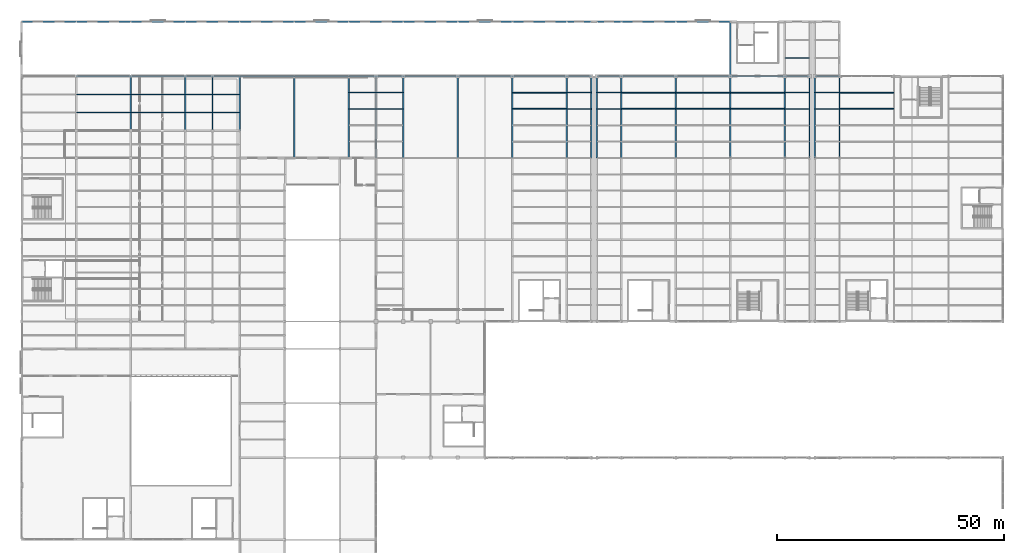
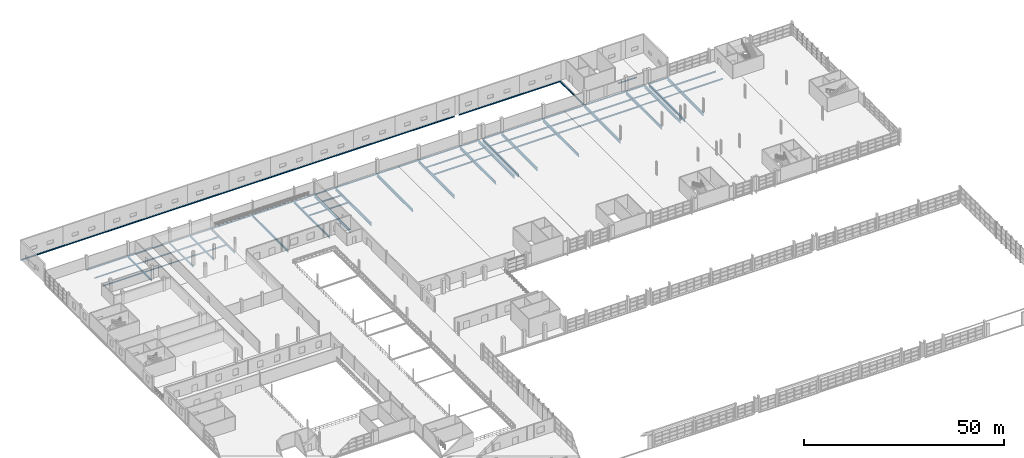
# One storey, part 112 of 147: 84 beams.
"""IFC4 building model written with IfcOpenShell, lengths in metres."""

from ifc_helpers import new_model, si_unit, direction, frame, origin, origin_2d, place, context, subcontext, project, spatial, i_section, extrude, material, material_profile, profile_set, type_object, element, save


model = new_model("IFC4")

# Units and contexts
model_context = context("Model", 3, precision=1e-05, world=origin(), true_north=direction((0.0, 1.0)))
body_context = subcontext(model_context, "Body", "Model", "MODEL_VIEW")
ifc_project = project(units=[si_unit("LENGTHUNIT", "METRE"), si_unit("AREAUNIT", "SQUARE_METRE"), si_unit("VOLUMEUNIT", "CUBIC_METRE"), si_unit("PLANEANGLEUNIT", "RADIAN"), si_unit("MASSUNIT", "GRAM", prefix="KILO")], contexts=[model_context])

# Site, building, storey
site_placement = place(None, origin())
site = spatial("IfcSite", under=ifc_project, at=site_placement, CompositionType="ELEMENT")
building_placement = place(site_placement, origin())
building = spatial("IfcBuilding", under=site, at=building_placement, Name="Zilviju Railside Exhibition Hall", CompositionType="ELEMENT")
storey_placement = place(building_placement, frame((0.0, 0.0, 8.39990234375)))
storey = spatial("IfcBuildingStorey", under=building, at=storey_placement, Name="L03", CompositionType="ELEMENT", Elevation=8.39990234375)

# Beams
ifc_material = material(Name="Steel S355J2", Category="steel")
ifc_material_profile_1 = material_profile(ifc_material, i_section(OverallWidth=0.300048828125, OverallDepth=0.2900390625, WebThickness=0.008544921875, FlangeThickness=0.013916015625, at=origin_2d()), Name="HEA 300")
ifc_profile_set_1 = profile_set([ifc_material_profile_1], Name="Steel S355J2")
beam_type_1 = type_object("IfcBeamType", Name="BM-HEA300", PredefinedType="SPANDREL", material=ifc_profile_set_1)
for number, where, z_axis, x_axis, name in (
    (1, (12.0, 138.0, -0.494873046875), (1.0, 0.0, 0.0), (0.0, 1.0, 0.0), "Primary Girder L03 Y=138.0 (12.0..24.0)"),
    (2, (24.0, 138.0, -0.494873046875), (1.0, 0.0, 0.0), (0.0, 1.0, 0.0), "Primary Girder L03 Y=138.0 (24.0..36.0)"),
):
    element("IfcBeam", number, at=place(storey_placement, frame(where, z_axis=z_axis, x_axis=x_axis)), inside=storey, type_object=beam_type_1, Name=name, PredefinedType="SPANDREL", context=body_context, shape_type="SweptSolid", body=[
        extrude(i_section(OverallWidth=0.300048828125, OverallDepth=0.2900390625, WebThickness=0.008544921875, FlangeThickness=0.013916015625, at=origin_2d()), origin(), (0.0, 0.0, 1.0), 12.0),
    ])
for number, where, z_axis, x_axis, name in (
    (3, (36.0, 138.0, -0.494873046875), (1.0, 0.0, 0.0), (0.0, 1.0, 0.0), "Primary Girder L03 Y=138.0 (36.0..42.0)"),
    (4, (42.0, 138.0, -0.494873046875), (1.0, 0.0, 0.0), (0.0, 1.0, 0.0), "Primary Girder L03 Y=138.0 (42.0..48.0)"),
):
    element("IfcBeam", number, at=place(storey_placement, frame(where, z_axis=z_axis, x_axis=x_axis)), inside=storey, type_object=beam_type_1, Name=name, PredefinedType="SPANDREL", context=body_context, shape_type="SweptSolid", body=[
        extrude(i_section(OverallWidth=0.300048828125, OverallDepth=0.2900390625, WebThickness=0.008544921875, FlangeThickness=0.013916015625, at=origin_2d()), origin(), (0.0, 0.0, 1.0), 6.0),
    ])
for number, where, z_axis, x_axis, name in (
    (5, (48.0, 138.0, -0.494873046875), (1.0, 0.0, 0.0), (0.0, 1.0, 0.0), "Primary Girder L03 Y=138.0 (48.0..60.0)"),
    (6, (60.0, 138.0, -0.46484375), (1.0, 0.0, 0.0), (0.0, 1.0, 0.0), "Primary Girder L03 Y=138.0 (60.0..72.0)"),
):
    element("IfcBeam", number, at=place(storey_placement, frame(where, z_axis=z_axis, x_axis=x_axis)), inside=storey, type_object=beam_type_1, Name=name, PredefinedType="SPANDREL", context=body_context, shape_type="SweptSolid", body=[
        extrude(i_section(OverallWidth=0.300048828125, OverallDepth=0.2900390625, WebThickness=0.008544921875, FlangeThickness=0.013916015625, at=origin_2d()), origin(), (0.0, 0.0, 1.0), 12.0),
    ])
for number, where, z_axis, x_axis, name in (
    (7, (72.0, 138.0, -0.52490234375), (1.0, 0.0, 0.0), (0.0, 1.0, 0.0), "Primary Girder L03 Y=138.0 (72.0..78.0)"),
    (8, (78.0, 138.0, -0.52490234375), (1.0, 0.0, 0.0), (0.0, 1.0, 0.0), "Primary Girder L03 Y=138.0 (78.0..84.0)"),
):
    element("IfcBeam", number, at=place(storey_placement, frame(where, z_axis=z_axis, x_axis=x_axis)), inside=storey, type_object=beam_type_1, Name=name, PredefinedType="SPANDREL", context=body_context, shape_type="SweptSolid", body=[
        extrude(i_section(OverallWidth=0.300048828125, OverallDepth=0.2900390625, WebThickness=0.008544921875, FlangeThickness=0.013916015625, at=origin_2d()), origin(), (0.0, 0.0, 1.0), 6.0),
    ])
for number, where, z_axis, x_axis, name in (
    (9, (84.0, 138.0, -0.52490234375), (1.0, 0.0, 0.0), (0.0, 1.0, 0.0), "Primary Girder L03 Y=138.0 (84.0..96.0)"),
    (10, (96.0, 138.0, -0.52490234375), (1.0, 0.0, 0.0), (0.0, 1.0, 0.0), "Primary Girder L03 Y=138.0 (96.0..108.0)"),
    (11, (108.0, 138.0, -0.52490234375), (1.0, 0.0, 0.0), (0.0, 1.0, 0.0), "Primary Girder L03 Y=138.0 (108.0..120.0)"),
):
    element("IfcBeam", number, at=place(storey_placement, frame(where, z_axis=z_axis, x_axis=x_axis)), inside=storey, type_object=beam_type_1, Name=name, PredefinedType="SPANDREL", context=body_context, shape_type="SweptSolid", body=[
        extrude(i_section(OverallWidth=0.300048828125, OverallDepth=0.2900390625, WebThickness=0.008544921875, FlangeThickness=0.013916015625, at=origin_2d()), origin(), (0.0, 0.0, 1.0), 12.0),
    ])
for number, where, z_axis, x_axis, name in (
    (12, (120.0, 138.0, -0.52490234375), (1.0, 0.0, 0.0), (0.0, 1.0, 0.0), "Primary Girder L03 Y=138.0 (120.0..125.4)"),
    (13, (126.60009765625, 138.0, -0.52490234375), (1.0, 0.0, 0.0), (0.0, 1.0, 0.0), "Primary Girder L03 Y=138.0 (126.6..132.0)"),
):
    element("IfcBeam", number, at=place(storey_placement, frame(where, z_axis=z_axis, x_axis=x_axis)), inside=storey, type_object=beam_type_1, Name=name, PredefinedType="SPANDREL", context=body_context, shape_type="SweptSolid", body=[
        extrude(i_section(OverallWidth=0.300048828125, OverallDepth=0.2900390625, WebThickness=0.008544921875, FlangeThickness=0.013916015625, at=origin_2d()), origin(), (0.0, 0.0, 1.0), 5.39990234375),
    ])
for number, where, z_axis, x_axis, name in (
    (14, (132.0, 138.0, -0.52490234375), (1.0, 0.0, 0.0), (0.0, 1.0, 0.0), "Primary Girder L03 Y=138.0 (132.0..144.0)"),
    (15, (144.0, 138.0, -0.52490234375), (1.0, 0.0, 0.0), (0.0, 1.0, 0.0), "Primary Girder L03 Y=138.0 (144.0..156.0)"),
    (16, (156.0, 138.0, -0.52490234375), (1.0, 0.0, 0.0), (0.0, 1.0, 0.0), "Primary Girder L03 Y=138.0 (156.0..168.0)"),
):
    element("IfcBeam", number, at=place(storey_placement, frame(where, z_axis=z_axis, x_axis=x_axis)), inside=storey, type_object=beam_type_1, Name=name, PredefinedType="SPANDREL", context=body_context, shape_type="SweptSolid", body=[
        extrude(i_section(OverallWidth=0.300048828125, OverallDepth=0.2900390625, WebThickness=0.008544921875, FlangeThickness=0.013916015625, at=origin_2d()), origin(), (0.0, 0.0, 1.0), 12.0),
    ])
for number, where, z_axis, x_axis, name in (
    (17, (168.0, 138.0, -0.52490234375), (1.0, 0.0, 0.0), (0.0, 1.0, 0.0), "Primary Girder L03 Y=138.0 (168.0..173.4)"),
    (18, (174.60009765625, 138.0, -0.52490234375), (1.0, 0.0, 0.0), (0.0, 1.0, 0.0), "Primary Girder L03 Y=138.0 (174.6..180.0)"),
):
    element("IfcBeam", number, at=place(storey_placement, frame(where, z_axis=z_axis, x_axis=x_axis)), inside=storey, type_object=beam_type_1, Name=name, PredefinedType="SPANDREL", context=body_context, shape_type="SweptSolid", body=[
        extrude(i_section(OverallWidth=0.300048828125, OverallDepth=0.2900390625, WebThickness=0.008544921875, FlangeThickness=0.013916015625, at=origin_2d()), origin(), (0.0, 0.0, 1.0), 5.39990234375),
    ])
for number, where, z_axis, x_axis, name in (
    (19, (0.0, 150.0, -0.48486328125), (1.0, 0.0, 0.0), (0.0, 1.0, 0.0), "Primary Girder L03 Y=150.0 (0.0..12.0)"),
    (20, (12.0, 150.0, -0.48486328125), (1.0, 0.0, 0.0), (0.0, 1.0, 0.0), "Primary Girder L03 Y=150.0 (12.0..24.0)"),
    (21, (24.0, 150.0, -0.48486328125), (1.0, 0.0, 0.0), (0.0, 1.0, 0.0), "Primary Girder L03 Y=150.0 (24.0..36.0)"),
    (22, (36.0, 150.0, -0.48486328125), (1.0, 0.0, 0.0), (0.0, 1.0, 0.0), "Primary Girder L03 Y=150.0 (36.0..48.0)"),
    (23, (48.0, 150.0, -0.48486328125), (1.0, 0.0, 0.0), (0.0, 1.0, 0.0), "Primary Girder L03 Y=150.0 (48.0..60.0)"),
    (24, (60.0, 150.0, -0.48486328125), (1.0, 0.0, 0.0), (0.0, 1.0, 0.0), "Primary Girder L03 Y=150.0 (60.0..72.0)"),
    (25, (72.0, 150.0, -0.48486328125), (1.0, 0.0, 0.0), (0.0, 1.0, 0.0), "Primary Girder L03 Y=150.0 (72.0..84.0)"),
    (26, (84.0, 150.0, -0.48486328125), (1.0, 0.0, 0.0), (0.0, 1.0, 0.0), "Primary Girder L03 Y=150.0 (84.0..96.0)"),
    (27, (96.0, 150.0, -0.48486328125), (1.0, 0.0, 0.0), (0.0, 1.0, 0.0), "Primary Girder L03 Y=150.0 (96.0..108.0)"),
    (28, (108.0, 150.0, -0.48486328125), (1.0, 0.0, 0.0), (0.0, 1.0, 0.0), "Primary Girder L03 Y=150.0 (108.0..120.0)"),
):
    element("IfcBeam", number, at=place(storey_placement, frame(where, z_axis=z_axis, x_axis=x_axis)), inside=storey, type_object=beam_type_1, Name=name, PredefinedType="SPANDREL", context=body_context, shape_type="SweptSolid", body=[
        extrude(i_section(OverallWidth=0.300048828125, OverallDepth=0.2900390625, WebThickness=0.008544921875, FlangeThickness=0.013916015625, at=origin_2d()), origin(), (0.0, 0.0, 1.0), 12.0),
    ])
for number, where, z_axis, x_axis, name in (
    (29, (120.0, 150.0, -0.48486328125), (1.0, 0.0, 0.0), (0.0, 1.0, 0.0), "Primary Girder L03 Y=150.0 (120.0..125.4)"),
    (30, (126.60009765625, 150.0, -0.48486328125), (1.0, 0.0, 0.0), (0.0, 1.0, 0.0), "Primary Girder L03 Y=150.0 (126.6..132.0)"),
):
    element("IfcBeam", number, at=place(storey_placement, frame(where, z_axis=z_axis, x_axis=x_axis)), inside=storey, type_object=beam_type_1, Name=name, PredefinedType="SPANDREL", context=body_context, shape_type="SweptSolid", body=[
        extrude(i_section(OverallWidth=0.300048828125, OverallDepth=0.2900390625, WebThickness=0.008544921875, FlangeThickness=0.013916015625, at=origin_2d()), origin(), (0.0, 0.0, 1.0), 5.39990234375),
    ])
for number, where, z_axis, x_axis, name in (
    (31, (132.0, 150.0, -0.48486328125), (1.0, 0.0, 0.0), (0.0, 1.0, 0.0), "Primary Girder L03 Y=150.0 (132.0..144.0)"),
    (32, (144.0, 150.0, -0.48486328125), (1.0, 0.0, 0.0), (0.0, 1.0, 0.0), "Primary Girder L03 Y=150.0 (144.0..156.0)"),
):
    element("IfcBeam", number, at=place(storey_placement, frame(where, z_axis=z_axis, x_axis=x_axis)), inside=storey, type_object=beam_type_1, Name=name, PredefinedType="SPANDREL", context=body_context, shape_type="SweptSolid", body=[
        extrude(i_section(OverallWidth=0.300048828125, OverallDepth=0.2900390625, WebThickness=0.008544921875, FlangeThickness=0.013916015625, at=origin_2d()), origin(), (0.0, 0.0, 1.0), 12.0),
    ])
ifc_material_profile_2 = material_profile(ifc_material, i_section(OverallWidth=0.300048828125, OverallDepth=0.35009765625, WebThickness=0.010009765625, FlangeThickness=0.017578125, at=origin_2d()), Name="HEA 360")
ifc_profile_set_2 = profile_set([ifc_material_profile_2], Name="Steel S355J2")
beam_type_2 = type_object("IfcBeamType", Name="BM-HEA360", PredefinedType="BEAM", material=ifc_profile_set_2)
beam_placement = place(storey_placement, frame((48.0, 126.0, -0.52490234375), z_axis=(0.0, 1.0, 0.0), x_axis=(-1.0, 0.0, 0.0)))
element("IfcBeam", 33, at=beam_placement, inside=storey, type_object=beam_type_2, Name="Transverse Girder L03 X=48.0 (126.0..138.0)", PredefinedType="BEAM", context=body_context, shape_type="SweptSolid", body=[
    extrude(i_section(OverallWidth=0.300048828125, OverallDepth=0.35009765625, WebThickness=0.010009765625, FlangeThickness=0.017578125, at=origin_2d()), origin(), (0.0, 0.0, 1.0), 12.0),
])
ifc_material_profile_3 = material_profile(ifc_material, i_section(OverallWidth=0.300048828125, OverallDepth=0.449951171875, WebThickness=0.013916015625, FlangeThickness=0.02587890625, at=origin_2d()), Name="HEB 450")
ifc_profile_set_3 = profile_set([ifc_material_profile_3], Name="Steel S355J2")
beam_type_3 = type_object("IfcBeamType", Name="BM-HEB450", PredefinedType="BEAM", material=ifc_profile_set_3)
for number, where, z_axis, x_axis, name in (
    (34, (24.0, 126.0, -0.574951171875), (0.0, 1.0, 0.0), (-1.0, 0.0, 0.0), "Transverse Girder L03 X=24.0 (126.0..138.0)"),
    (35, (36.0, 126.0, -0.574951171875), (0.0, 1.0, 0.0), (-1.0, 0.0, 0.0), "Transverse Girder L03 X=36.0 (126.0..138.0)"),
    (36, (42.0, 126.0, -0.574951171875), (0.0, 1.0, 0.0), (-1.0, 0.0, 0.0), "Transverse Girder L03 X=42.0 (126.0..138.0)"),
    (37, (156.0, 138.0, -0.60498046875), (0.0, 1.0, 0.0), (-1.0, 0.0, 0.0), "Transverse Girder L03 X=156.0 (138.0..150.0)"),
):
    element("IfcBeam", number, at=place(storey_placement, frame(where, z_axis=z_axis, x_axis=x_axis)), inside=storey, type_object=beam_type_3, Name=name, PredefinedType="BEAM", context=body_context, shape_type="SweptSolid", body=[
        extrude(i_section(OverallWidth=0.300048828125, OverallDepth=0.449951171875, WebThickness=0.013916015625, FlangeThickness=0.02587890625, at=origin_2d()), origin(), (0.0, 0.0, 1.0), 12.0),
    ])
ifc_material_profile_4 = material_profile(ifc_material, i_section(OverallWidth=0.300048828125, OverallDepth=0.60009765625, WebThickness=0.015380859375, FlangeThickness=0.030029296875, at=origin_2d()), Name="HEB 600")
ifc_profile_set_4 = profile_set([ifc_material_profile_4], Name="Steel S355J2")
beam_type_4 = type_object("IfcBeamType", Name="BM-HEB600", PredefinedType="BEAM", material=ifc_profile_set_4)
for number, where, z_axis, x_axis, name in (
    (38, (60.0, 120.0, -0.64990234375), (0.0, 1.0, 0.0), (-1.0, 0.0, 0.0), "Transverse Girder L03 X=60.0 (120.0..138.0)"),
    (39, (72.0, 120.0, -0.64990234375), (0.0, 1.0, 0.0), (-1.0, 0.0, 0.0), "Transverse Girder L03 X=72.0 (120.0..138.0)"),
):
    element("IfcBeam", number, at=place(storey_placement, frame(where, z_axis=z_axis, x_axis=x_axis)), inside=storey, type_object=beam_type_4, Name=name, PredefinedType="BEAM", context=body_context, shape_type="SweptSolid", body=[
        extrude(i_section(OverallWidth=0.300048828125, OverallDepth=0.60009765625, WebThickness=0.015380859375, FlangeThickness=0.030029296875, at=origin_2d()), origin(), (0.0, 0.0, 1.0), 18.0),
    ])
ifc_material_profile_5 = material_profile(ifc_material, i_section(OverallWidth=0.300048828125, OverallDepth=0.89990234375, WebThickness=0.0185546875, FlangeThickness=0.034912109375, at=origin_2d()), Name="HEB 900")
ifc_profile_set_5 = profile_set([ifc_material_profile_5], Name="Steel S355J2")
beam_type_5 = type_object("IfcBeamType", Name="BM-HEB900", PredefinedType="BEAM", material=ifc_profile_set_5)
for number, where, z_axis, x_axis, name in (
    (40, (78.0, 120.0, -0.829833984375), (0.0, 1.0, 0.0), (-1.0, 0.0, 0.0), "Transverse Girder L03 X=78.0 (120.0..138.0)"),
    (41, (84.0, 120.0, -0.829833984375), (0.0, 1.0, 0.0), (-1.0, 0.0, 0.0), "Transverse Girder L03 X=84.0 (120.0..138.0)"),
    (42, (96.0, 120.0, -0.829833984375), (0.0, 1.0, 0.0), (-1.0, 0.0, 0.0), "Transverse Girder L03 X=96.0 (120.0..138.0)"),
    (43, (108.0, 120.0, -0.829833984375), (0.0, 1.0, 0.0), (-1.0, 0.0, 0.0), "Transverse Girder L03 X=108.0 (120.0..138.0)"),
    (44, (120.0, 120.0, -0.829833984375), (0.0, 1.0, 0.0), (-1.0, 0.0, 0.0), "Transverse Girder L03 X=120.0 (120.0..138.0)"),
    (45, (125.39990234375, 120.0, -0.829833984375), (0.0, 1.0, 0.0), (-1.0, 0.0, 0.0), "Transverse Girder L03 X=125.4 (120.0..138.0)"),
    (46, (126.60009765625, 120.0, -0.829833984375), (0.0, 1.0, 0.0), (-1.0, 0.0, 0.0), "Transverse Girder L03 X=126.6 (120.0..138.0)"),
    (47, (132.0, 120.0, -0.829833984375), (0.0, 1.0, 0.0), (-1.0, 0.0, 0.0), "Transverse Girder L03 X=132.0 (120.0..138.0)"),
    (48, (144.0, 120.0, -0.829833984375), (0.0, 1.0, 0.0), (-1.0, 0.0, 0.0), "Transverse Girder L03 X=144.0 (120.0..138.0)"),
    (49, (156.0, 120.0, -0.829833984375), (0.0, 1.0, 0.0), (-1.0, 0.0, 0.0), "Transverse Girder L03 X=156.0 (120.0..138.0)"),
    (50, (168.0, 120.0, -0.829833984375), (0.0, 1.0, 0.0), (-1.0, 0.0, 0.0), "Transverse Girder L03 X=168.0 (120.0..138.0)"),
    (51, (173.39990234375, 120.0, -0.829833984375), (0.0, 1.0, 0.0), (-1.0, 0.0, 0.0), "Transverse Girder L03 X=173.4 (120.0..138.0)"),
    (52, (174.60009765625, 120.0, -0.829833984375), (0.0, 1.0, 0.0), (-1.0, 0.0, 0.0), "Transverse Girder L03 X=174.6 (120.0..138.0)"),
    (53, (180.0, 120.0, -0.829833984375), (0.0, 1.0, 0.0), (-1.0, 0.0, 0.0), "Transverse Girder L03 X=180.0 (120.0..138.0)"),
):
    element("IfcBeam", number, at=place(storey_placement, frame(where, z_axis=z_axis, x_axis=x_axis)), inside=storey, type_object=beam_type_5, Name=name, PredefinedType="BEAM", context=body_context, shape_type="SweptSolid", body=[
        extrude(i_section(OverallWidth=0.300048828125, OverallDepth=0.89990234375, WebThickness=0.0185546875, FlangeThickness=0.034912109375, at=origin_2d()), origin(), (0.0, 0.0, 1.0), 18.0),
    ])
ifc_material_profile_6 = material_profile(ifc_material, i_section(OverallWidth=0.1201171875, OverallDepth=0.239990234375, WebThickness=0.006103515625, FlangeThickness=0.009765625, at=origin_2d()), Name="IPE 240")
ifc_profile_set_6 = profile_set([ifc_material_profile_6], Name="Steel S355J2")
beam_type_6 = type_object("IfcBeamType", Name="BM-IPE240", PredefinedType="JOIST", material=ifc_profile_set_6)
for number, where, z_axis, x_axis, name in (
    (54, (120.080078125, 130.800048828125, -0.5), (1.0, 0.0, 0.0), (0.0, 1.0, 0.0), "Composite Floor Joist L03 Y=130.80 (120.0..125.4)"),
    (55, (120.080078125, 134.39990234375, -0.5), (1.0, 0.0, 0.0), (0.0, 1.0, 0.0), "Composite Floor Joist L03 Y=134.40 (120.0..125.4)"),
    (56, (126.679931640625, 130.800048828125, -0.5), (1.0, 0.0, 0.0), (0.0, 1.0, 0.0), "Composite Floor Joist L03 Y=130.80 (126.6..132.0)"),
    (57, (126.679931640625, 134.39990234375, -0.5), (1.0, 0.0, 0.0), (0.0, 1.0, 0.0), "Composite Floor Joist L03 Y=134.40 (126.6..132.0)"),
    (58, (168.080078125, 130.800048828125, -0.5), (1.0, 0.0, 0.0), (0.0, 1.0, 0.0), "Composite Floor Joist L03 Y=130.80 (168.0..173.4)"),
    (59, (168.080078125, 134.39990234375, -0.5), (1.0, 0.0, 0.0), (0.0, 1.0, 0.0), "Composite Floor Joist L03 Y=134.40 (168.0..173.4)"),
    (60, (168.080078125, 142.0, -0.5), (1.0, 0.0, 0.0), (0.0, 1.0, 0.0), "Composite Floor Joist L03 Y=142.00 (168.0..173.4)"),
    (61, (174.679931640625, 130.800048828125, -0.5), (1.0, 0.0, 0.0), (0.0, 1.0, 0.0), "Composite Floor Joist L03 Y=130.80 (174.6..180.0)"),
    (62, (174.679931640625, 134.39990234375, -0.5), (1.0, 0.0, 0.0), (0.0, 1.0, 0.0), "Composite Floor Joist L03 Y=134.40 (174.6..180.0)"),
):
    element("IfcBeam", number, at=place(storey_placement, frame(where, z_axis=z_axis, x_axis=x_axis)), inside=storey, type_object=beam_type_6, Name=name, PredefinedType="JOIST", context=body_context, shape_type="SweptSolid", body=[
        extrude(i_section(OverallWidth=0.1201171875, OverallDepth=0.239990234375, WebThickness=0.006103515625, FlangeThickness=0.009765625, at=origin_2d()), origin(), (0.0, 0.0, 1.0), 5.239990234375),
    ])
ifc_material_profile_7 = material_profile(ifc_material, i_section(OverallWidth=0.14990234375, OverallDepth=0.300048828125, WebThickness=0.007080078125, FlangeThickness=0.0107421875, at=origin_2d()), Name="IPE 300")
ifc_profile_set_7 = profile_set([ifc_material_profile_7], Name="Steel S355J2")
beam_type_7 = type_object("IfcBeamType", Name="BM-IPE300", PredefinedType="JOIST", material=ifc_profile_set_7)
for number, where, z_axis, x_axis, name in (
    (63, (36.080078125, 130.0, -0.5), (1.0, 0.0, 0.0), (0.0, 1.0, 0.0), "Composite Floor Joist L03 Y=130.00 (36.0..42.0)"),
    (64, (36.080078125, 134.0, -0.5), (1.0, 0.0, 0.0), (0.0, 1.0, 0.0), "Composite Floor Joist L03 Y=134.00 (36.0..42.0)"),
    (65, (42.080078125, 130.0, -0.5), (1.0, 0.0, 0.0), (0.0, 1.0, 0.0), "Composite Floor Joist L03 Y=130.00 (42.0..48.0)"),
    (66, (42.080078125, 134.0, -0.5), (1.0, 0.0, 0.0), (0.0, 1.0, 0.0), "Composite Floor Joist L03 Y=134.00 (42.0..48.0)"),
    (67, (72.080078125, 130.800048828125, -0.52978515625), (1.0, 0.0, 0.0), (0.0, 1.0, 0.0), "Composite Floor Joist L03 Y=130.80 (72.0..78.0)"),
    (68, (72.080078125, 134.39990234375, -0.52978515625), (1.0, 0.0, 0.0), (0.0, 1.0, 0.0), "Composite Floor Joist L03 Y=134.40 (72.0..78.0)"),
    (69, (78.080078125, 130.800048828125, -0.52978515625), (1.0, 0.0, 0.0), (0.0, 1.0, 0.0), "Composite Floor Joist L03 Y=130.80 (78.0..84.0)"),
    (70, (78.080078125, 134.39990234375, -0.52978515625), (1.0, 0.0, 0.0), (0.0, 1.0, 0.0), "Composite Floor Joist L03 Y=134.40 (78.0..84.0)"),
):
    element("IfcBeam", number, at=place(storey_placement, frame(where, z_axis=z_axis, x_axis=x_axis)), inside=storey, type_object=beam_type_7, Name=name, PredefinedType="JOIST", context=body_context, shape_type="SweptSolid", body=[
        extrude(i_section(OverallWidth=0.14990234375, OverallDepth=0.300048828125, WebThickness=0.007080078125, FlangeThickness=0.0107421875, at=origin_2d()), origin(), (0.0, 0.0, 1.0), 5.83984375),
    ])
ifc_material_profile_8 = material_profile(ifc_material, i_section(OverallWidth=0.169921875, OverallDepth=0.360107421875, WebThickness=0.008056640625, FlangeThickness=0.0126953125, at=origin_2d()), Name="IPE 360")
ifc_profile_set_8 = profile_set([ifc_material_profile_8], Name="Steel S355J2")
beam_type_8 = type_object("IfcBeamType", Name="BM-IPE360", PredefinedType="JOIST", material=ifc_profile_set_8)
for number, where, z_axis, x_axis, name in (
    (71, (12.080078125, 130.0, -0.52978515625), (1.0, 0.0, 0.0), (0.0, 1.0, 0.0), "Composite Floor Joist L03 Y=130.00 (12.0..24.0)"),
    (72, (12.080078125, 134.0, -0.52978515625), (1.0, 0.0, 0.0), (0.0, 1.0, 0.0), "Composite Floor Joist L03 Y=134.00 (12.0..24.0)"),
    (73, (24.080078125, 130.0, -0.52978515625), (1.0, 0.0, 0.0), (0.0, 1.0, 0.0), "Composite Floor Joist L03 Y=130.00 (24.0..36.0)"),
    (74, (24.080078125, 134.0, -0.52978515625), (1.0, 0.0, 0.0), (0.0, 1.0, 0.0), "Composite Floor Joist L03 Y=134.00 (24.0..36.0)"),
):
    element("IfcBeam", number, at=place(storey_placement, frame(where, z_axis=z_axis, x_axis=x_axis)), inside=storey, type_object=beam_type_8, Name=name, PredefinedType="JOIST", context=body_context, shape_type="SweptSolid", body=[
        extrude(i_section(OverallWidth=0.169921875, OverallDepth=0.360107421875, WebThickness=0.008056640625, FlangeThickness=0.0126953125, at=origin_2d()), origin(), (0.0, 0.0, 1.0), 11.83984375),
    ])
ifc_material_profile_9 = material_profile(ifc_material, i_section(OverallWidth=0.18994140625, OverallDepth=0.449951171875, WebThickness=0.009521484375, FlangeThickness=0.0146484375, at=origin_2d()), Name="IPE 450")
ifc_profile_set_9 = profile_set([ifc_material_profile_9], Name="Steel S355J2")
beam_type_9 = type_object("IfcBeamType", Name="BM-IPE450", PredefinedType="JOIST", material=ifc_profile_set_9)
for number, where, z_axis, x_axis, name in (
    (75, (108.080078125, 130.800048828125, -0.60498046875), (1.0, 0.0, 0.0), (0.0, 1.0, 0.0), "Composite Floor Joist L03 Y=130.80 (108.0..120.0)"),
    (76, (108.080078125, 134.39990234375, -0.60498046875), (1.0, 0.0, 0.0), (0.0, 1.0, 0.0), "Composite Floor Joist L03 Y=134.40 (108.0..120.0)"),
    (77, (132.080078125, 130.800048828125, -0.60498046875), (1.0, 0.0, 0.0), (0.0, 1.0, 0.0), "Composite Floor Joist L03 Y=130.80 (132.0..144.0)"),
    (78, (132.080078125, 134.39990234375, -0.60498046875), (1.0, 0.0, 0.0), (0.0, 1.0, 0.0), "Composite Floor Joist L03 Y=134.40 (132.0..144.0)"),
    (79, (144.080078125, 130.800048828125, -0.60498046875), (1.0, 0.0, 0.0), (0.0, 1.0, 0.0), "Composite Floor Joist L03 Y=130.80 (144.0..156.0)"),
    (80, (144.080078125, 134.39990234375, -0.60498046875), (1.0, 0.0, 0.0), (0.0, 1.0, 0.0), "Composite Floor Joist L03 Y=134.40 (144.0..156.0)"),
    (81, (156.080078125, 130.800048828125, -0.60498046875), (1.0, 0.0, 0.0), (0.0, 1.0, 0.0), "Composite Floor Joist L03 Y=130.80 (156.0..168.0)"),
    (82, (156.080078125, 134.39990234375, -0.60498046875), (1.0, 0.0, 0.0), (0.0, 1.0, 0.0), "Composite Floor Joist L03 Y=134.40 (156.0..168.0)"),
    (83, (180.080078125, 130.800048828125, -0.60498046875), (1.0, 0.0, 0.0), (0.0, 1.0, 0.0), "Composite Floor Joist L03 Y=130.80 (180.0..192.0)"),
    (84, (180.080078125, 134.39990234375, -0.60498046875), (1.0, 0.0, 0.0), (0.0, 1.0, 0.0), "Composite Floor Joist L03 Y=134.40 (180.0..192.0)"),
):
    element("IfcBeam", number, at=place(storey_placement, frame(where, z_axis=z_axis, x_axis=x_axis)), inside=storey, type_object=beam_type_9, Name=name, PredefinedType="JOIST", context=body_context, shape_type="SweptSolid", body=[
        extrude(i_section(OverallWidth=0.18994140625, OverallDepth=0.449951171875, WebThickness=0.009521484375, FlangeThickness=0.0146484375, at=origin_2d()), origin(), (0.0, 0.0, 1.0), 11.83984375),
    ])

save(model, "model.ifc")
